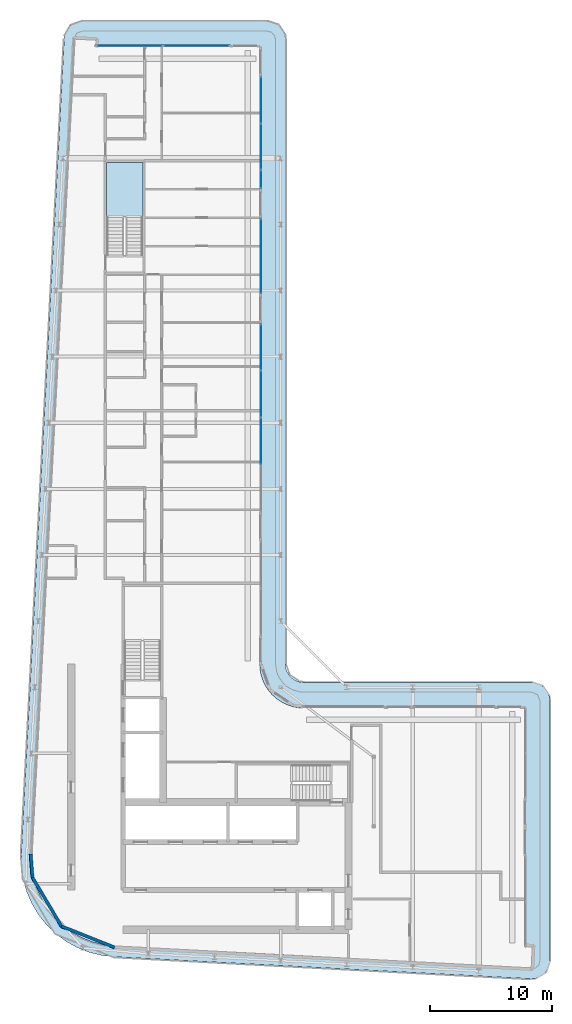
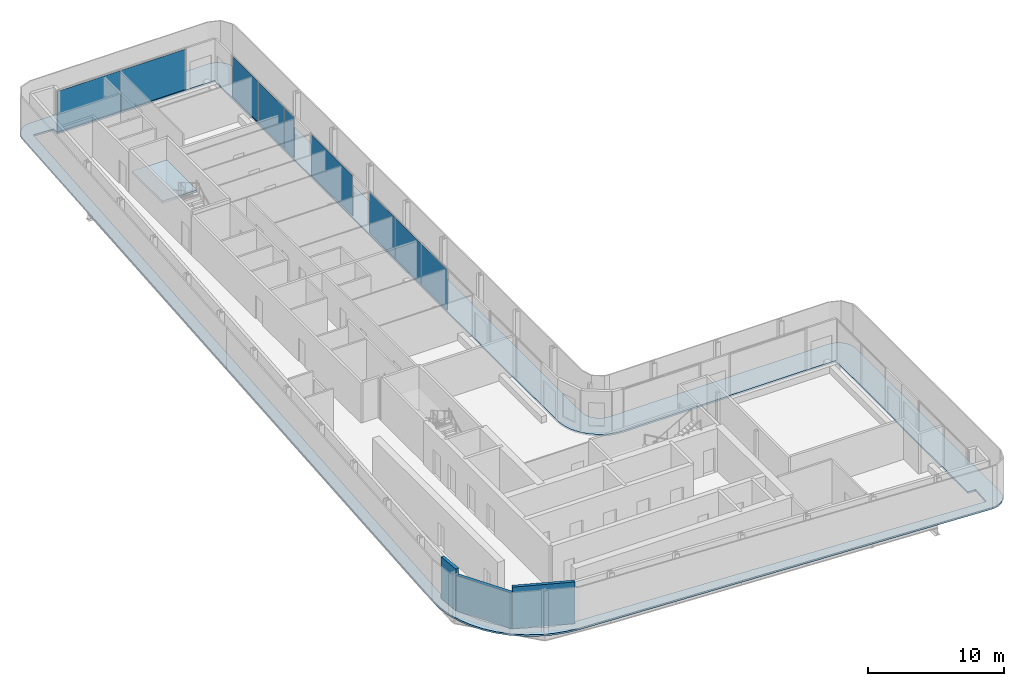
# One storey, part 10 of 20: 9 plates, 3 walls, 2 slabs, 7 elements without a shape of their own.
"""IFC4 building model written with IfcOpenShell, lengths in metres."""

from ifc_helpers import new_model, si_unit, direction, frame, frame_2d, origin, origin_2d, place, context, subcontext, project, spatial, polyline, rectangle, outline, extrude, material, layer, layer_set, type_object, element, aggregate, save


model = new_model("IFC4")

# Units and contexts
model_context = context("Model", 3, precision=1e-05, world=origin(), true_north=direction((0.0, 1.0)))
body_context = subcontext(model_context, "Body", "Model", "MODEL_VIEW")
ifc_project = project(units=[si_unit("LENGTHUNIT", "METRE"), si_unit("AREAUNIT", "SQUARE_METRE"), si_unit("VOLUMEUNIT", "CUBIC_METRE"), si_unit("PLANEANGLEUNIT", "RADIAN"), si_unit("MASSUNIT", "GRAM", prefix="KILO")], contexts=[model_context])

# Site, building, storey
site_placement = place(None, origin())
site = spatial("IfcSite", under=ifc_project, at=site_placement, CompositionType="ELEMENT")
building_placement = place(site_placement, origin())
building = spatial("IfcBuilding", under=site, at=building_placement, Name="Kheshtan School and Residences Tower", CompositionType="ELEMENT")
storey_placement = place(building_placement, frame((0.0, 0.0, 286.39990234375)))
storey = spatial("IfcBuildingStorey", under=building, at=storey_placement, Name="L67", CompositionType="ELEMENT", Elevation=286.39990234375)

# Curtain wall, plates
ifc_material_1 = material(Name="Clear low-e glass in thermally broken aluminium frame", Category="aluminium")
ifc_layer_1 = layer(ifc_material_1, 0.199951171875)
ifc_layer_set_1 = layer_set([ifc_layer_1], Name="Curtain wall CW-L")
curtain_wall_type = type_object("IfcCurtainWallType", Name="Curtain wall CW-L", PredefinedType="NOTDEFINED", material=ifc_layer_set_1)
curtain_wall_1_placement = place(storey_placement, origin())
curtain_wall_1 = element("IfcCurtainWall", 1, at=curtain_wall_1_placement, inside=storey, type_object=curtain_wall_type, Name="Curtain wall CWL7", PredefinedType="NOTDEFINED")
ifc_layer_2 = layer(ifc_material_1, 0.031982421875)
ifc_layer_set_2 = layer_set([ifc_layer_2], Name="CW-L glass panel")
plate_type = type_object("IfcPlateType", Name="CW-L glass panel", PredefinedType="CURTAIN_PANEL", material=ifc_layer_set_2)
plate_1_placement = place(storey_placement, frame((35.259033203125, 98.0, 0.000244140625), z_axis=(0.0, 0.0, 1.0), x_axis=(1.0, 0.0, 0.0)))
plate_1 = element("IfcPlate", 2, at=plate_1_placement, type_object=plate_type, Name="CWL7 panel 1.1", PredefinedType="CURTAIN_PANEL", context=body_context, shape_type="SweptSolid", body=[
    extrude(rectangle(XDim=5.4140625, YDim=0.031982421875, at=origin_2d()), origin(), (0.0, 0.0, 1.0), 3.6298828125),
])
plate_2_placement = place(storey_placement, frame((40.73291015625, 98.0, 0.000244140625), z_axis=(0.0, 0.0, 1.0), x_axis=(1.0, 0.0, 0.0)))
plate_2 = element("IfcPlate", 3, at=plate_2_placement, type_object=plate_type, Name="CWL7 panel 2.1", PredefinedType="CURTAIN_PANEL", context=body_context, shape_type="SweptSolid", body=[
    extrude(rectangle(XDim=5.4140625, YDim=0.031982421875, at=origin_2d()), origin(), (0.0, 0.0, 1.0), 3.6298828125),
])
aggregate(curtain_wall_1, [plate_1, plate_2])

curtain_wall_2_placement = place(storey_placement, origin())
curtain_wall_2 = element("IfcCurtainWall", 4, at=curtain_wall_2_placement, inside=storey, type_object=curtain_wall_type, Name="Curtain wall CWL8", PredefinedType="NOTDEFINED")
plate_3_placement = place(storey_placement, frame((46.0, 93.5615234375, 0.000244140625), z_axis=(0.0, 0.0, 1.0), x_axis=(0.0, -1.0, 0.0)))
plate_3 = element("IfcPlate", 5, at=plate_3_placement, type_object=plate_type, Name="CWL8 panel 1.1", PredefinedType="CURTAIN_PANEL", context=body_context, shape_type="SweptSolid", body=[
    extrude(rectangle(XDim=3.757080078125, YDim=0.031982421875, at=origin_2d()), origin(), (0.0, 0.0, 1.0), 3.6298828125),
])
plate_4_placement = place(storey_placement, frame((46.0, 89.744384765625, 0.000244140625), z_axis=(0.0, 0.0, 1.0), x_axis=(0.0, -1.0, 0.0)))
plate_4 = element("IfcPlate", 6, at=plate_4_placement, type_object=plate_type, Name="CWL8 panel 2.1", PredefinedType="CURTAIN_PANEL", context=body_context, shape_type="SweptSolid", body=[
    extrude(rectangle(XDim=3.757080078125, YDim=0.031982421875, at=origin_2d()), origin(), (0.0, 0.0, 1.0), 3.6298828125),
])
aggregate(curtain_wall_2, [plate_3, plate_4])

# Curtain wall, plate
curtain_wall_3_placement = place(storey_placement, origin())
curtain_wall_3 = element("IfcCurtainWall", 7, at=curtain_wall_3_placement, inside=storey, type_object=curtain_wall_type, Name="Curtain wall CWL8a", PredefinedType="NOTDEFINED")
plate_5_placement = place(storey_placement, frame((46.0, 87.0859375, 0.000244140625), z_axis=(0.0, 0.0, 1.0), x_axis=(0.0, -1.0, 0.0)))
plate_5 = element("IfcPlate", 8, at=plate_5_placement, type_object=plate_type, Name="CWL8a panel 1.1", PredefinedType="CURTAIN_PANEL", context=body_context, shape_type="SweptSolid", body=[
    extrude(rectangle(XDim=1.43994140625, YDim=0.031982421875, at=origin_2d()), origin(), (0.0, 0.0, 1.0), 3.6298828125),
])
aggregate(curtain_wall_3, [plate_5])

curtain_wall_4_placement = place(storey_placement, origin())
curtain_wall_4 = element("IfcCurtainWall", 9, at=curtain_wall_4_placement, inside=storey, type_object=curtain_wall_type, Name="Curtain wall CWL8d", PredefinedType="NOTDEFINED")
plate_6_placement = place(storey_placement, frame((46.0, 80.80908203125, 0.000244140625), z_axis=(0.0, 0.0, 1.0), x_axis=(0.0, -1.0, 0.0)))
plate_6 = element("IfcPlate", 10, at=plate_6_placement, type_object=plate_type, Name="CWL8d panel 1.1", PredefinedType="CURTAIN_PANEL", context=body_context, shape_type="SweptSolid", body=[
    extrude(rectangle(XDim=6.073974609375, YDim=0.031982421875, at=origin_2d()), origin(), (0.0, 0.0, 1.0), 3.6298828125),
])
aggregate(curtain_wall_4, [plate_6])

# Curtain wall, plates
curtain_wall_5_placement = place(storey_placement, origin())
curtain_wall_5 = element("IfcCurtainWall", 11, at=curtain_wall_5_placement, inside=storey, type_object=curtain_wall_type, Name="Curtain wall CWL8", PredefinedType="NOTDEFINED")
plate_7_placement = place(storey_placement, frame((46.0, 73.37353515625, 0.000244140625), z_axis=(0.0, 0.0, 1.0), x_axis=(0.0, -1.0, 0.0)))
plate_7 = element("IfcPlate", 12, at=plate_7_placement, type_object=plate_type, Name="CWL8 panel 1.1", PredefinedType="CURTAIN_PANEL", context=body_context, shape_type="SweptSolid", body=[
    extrude(rectangle(XDim=3.757080078125, YDim=0.031982421875, at=origin_2d()), origin(), (0.0, 0.0, 1.0), 3.6298828125),
])
plate_8_placement = place(storey_placement, frame((46.0, 69.556396484375, 0.000244140625), z_axis=(0.0, 0.0, 1.0), x_axis=(0.0, -1.0, 0.0)))
plate_8 = element("IfcPlate", 13, at=plate_8_placement, type_object=plate_type, Name="CWL8 panel 2.1", PredefinedType="CURTAIN_PANEL", context=body_context, shape_type="SweptSolid", body=[
    extrude(rectangle(XDim=3.757080078125, YDim=0.031982421875, at=origin_2d()), origin(), (0.0, 0.0, 1.0), 3.6298828125),
])
aggregate(curtain_wall_5, [plate_7, plate_8])

# Curtain wall, plate
curtain_wall_6_placement = place(storey_placement, origin())
curtain_wall_6 = element("IfcCurtainWall", 14, at=curtain_wall_6_placement, inside=storey, type_object=curtain_wall_type, Name="Curtain wall CWL8", PredefinedType="NOTDEFINED")
plate_9_placement = place(storey_placement, frame((46.0, 65.70947265625, 0.000244140625), z_axis=(0.0, 0.0, 1.0), x_axis=(0.0, -1.0, 0.0)))
plate_9 = element("IfcPlate", 15, at=plate_9_placement, type_object=plate_type, Name="CWL8 panel 1.1", PredefinedType="CURTAIN_PANEL", context=body_context, shape_type="SweptSolid", body=[
    extrude(rectangle(XDim=3.81689453125, YDim=0.031982421875, at=origin_2d()), origin(), (0.0, 0.0, 1.0), 3.6298828125),
])
aggregate(curtain_wall_6, [plate_9])

# Slab
ifc_material_2 = material(Name="Concrete C40/50", Category="concrete")
ifc_layer_3 = layer(ifc_material_2, 0.14990234375)
ifc_layer_set_3 = layer_set([ifc_layer_3], Name="Loggia balcony slab 150 Concrete C40/50")
slab_type_1 = type_object("IfcSlabType", Name="Loggia balcony slab 150 Concrete C40/50", PredefinedType="FLOOR", material=ifc_layer_set_3)
slab_1_placement = place(storey_placement, frame((0.0, 0.0, -0.14990234375)))
element("IfcSlab", 16, at=slab_1_placement, inside=storey, type_object=slab_type_1, Name="Loggia balcony slab L67", PredefinedType="FLOOR", context=body_context, shape_type="SweptSolid", body=[
    extrude(outline(polyline([(28.4580078125, 26.222900390625), (28.45703125, 26.222900390625), (28.45703125, 26.22412109375), (28.4560546875, 26.22412109375), (27.81494140625, 27.0390625), (27.281005859375, 27.93798828125), (26.867919921875, 28.89990234375), (26.583984375, 29.89990234375), (26.583984375, 29.906982421875), (26.43408203125, 30.943115234375), (26.419921875, 31.989013671875), (29.925048828125, 98.5791015625), (29.930908203125, 98.626953125), (29.930908203125, 98.6279296875), (29.929931640625, 98.6279296875), (29.929931640625, 98.62890625), (29.928955078125, 98.62890625), (29.928955078125, 98.6298828125), (29.927978515625, 98.6298828125), (29.927978515625, 98.631103515625), (29.927001953125, 98.631103515625), (29.927001953125, 98.632080078125), (29.927001953125, 98.633056640625), (29.945068359375, 98.781005859375), (29.945068359375, 98.783935546875), (29.945068359375, 98.784912109375), (29.946044921875, 98.784912109375), (29.946044921875, 98.785888671875), (29.947021484375, 98.785888671875), (29.947021484375, 98.787109375), (29.947998046875, 98.787109375), (29.948974609375, 98.787109375), (29.948974609375, 98.7880859375), (29.949951171875, 98.7880859375), (29.949951171875, 98.7890625), (29.949951171875, 98.791015625), (30.0029296875, 98.98388671875), (30.083984375, 99.175048828125), (30.18896484375, 99.35302734375), (30.31103515625, 99.507080078125), (30.31201171875, 99.507080078125), (30.31201171875, 99.508056640625), (30.31298828125, 99.508056640625), (30.31298828125, 99.509033203125), (30.31396484375, 99.509033203125), (30.31396484375, 99.510009765625), (30.31494140625, 99.510009765625), (30.31494140625, 99.510986328125), (30.31591796875, 99.510986328125), (30.31591796875, 99.511962890625), (30.31689453125, 99.511962890625), (30.31689453125, 99.512939453125), (30.318115234375, 99.512939453125), (30.320068359375, 99.512939453125), (30.321044921875, 99.512939453125), (30.321044921875, 99.513916015625), (30.468017578125, 99.656982421875), (30.468994140625, 99.656982421875), (30.468994140625, 99.657958984375), (30.469970703125, 99.657958984375), (30.469970703125, 99.658935546875), (30.470947265625, 99.658935546875), (30.470947265625, 99.659912109375), (30.471923828125, 99.659912109375), (30.471923828125, 99.660888671875), (30.472900390625, 99.660888671875), (30.472900390625, 99.662109375), (30.47412109375, 99.662109375), (30.47412109375, 99.6630859375), (30.47509765625, 99.6630859375), (30.47509765625, 99.6640625), (30.635986328125, 99.777099609375), (30.820068359375, 99.873046875), (31.007080078125, 99.943115234375), (31.013916015625, 99.943115234375), (31.217041015625, 99.986083984375), (31.423095703125, 100.0), (46.5, 100.0), (46.696044921875, 99.987060546875), (46.887939453125, 99.948974609375), (46.89501953125, 99.948974609375), (47.073974609375, 99.885986328125), (47.242919921875, 99.801025390625), (47.243896484375, 99.801025390625), (47.2470703125, 99.801025390625), (47.248046875, 99.801025390625), (47.248046875, 99.802001953125), (47.2490234375, 99.802001953125), (47.2490234375, 99.802978515625), (47.25, 99.802978515625), (47.2529296875, 99.802978515625), (47.25390625, 99.802978515625), (47.25390625, 99.802001953125), (47.2548828125, 99.802001953125), (47.2548828125, 99.801025390625), (47.256103515625, 99.801025390625), (47.256103515625, 99.800048828125), (47.257080078125, 99.800048828125), (47.257080078125, 99.799072265625), (47.258056640625, 99.799072265625), (47.258056640625, 99.798095703125), (47.412109375, 99.696044921875), (47.4130859375, 99.696044921875), (47.4130859375, 99.695068359375), (47.4140625, 99.695068359375), (47.4140625, 99.694091796875), (47.4140625, 99.68994140625), (47.4140625, 99.68896484375), (47.4150390625, 99.68896484375), (47.4150390625, 99.68798828125), (47.416015625, 99.68798828125), (47.416015625, 99.68701171875), (47.4169921875, 99.68701171875), (47.4169921875, 99.68603515625), (47.554931640625, 99.568115234375), (47.554931640625, 99.56689453125), (47.555908203125, 99.56689453125), (47.555908203125, 99.56591796875), (47.556884765625, 99.56591796875), (47.556884765625, 99.56494140625), (47.55810546875, 99.56494140625), (47.55810546875, 99.56396484375), (47.55908203125, 99.56396484375), (47.55908203125, 99.56298828125), (47.56005859375, 99.56298828125), (47.56005859375, 99.56201171875), (47.56103515625, 99.56201171875), (47.56201171875, 99.56103515625), (47.56201171875, 99.56005859375), (47.56298828125, 99.56005859375), (47.56298828125, 99.55908203125), (47.56396484375, 99.55908203125), (47.56396484375, 99.55810546875), (47.56494140625, 99.55810546875), (47.56494140625, 99.556884765625), (47.56591796875, 99.556884765625), (47.56591796875, 99.555908203125), (47.56689453125, 99.555908203125), (47.56689453125, 99.554931640625), (47.568115234375, 99.554931640625), (47.68505859375, 99.41796875), (47.68603515625, 99.41796875), (47.68603515625, 99.4169921875), (47.68701171875, 99.4169921875), (47.68701171875, 99.416015625), (47.68798828125, 99.416015625), (47.68798828125, 99.4150390625), (47.68896484375, 99.4150390625), (47.68896484375, 99.4140625), (47.68994140625, 99.4140625), (47.694091796875, 99.4140625), (47.695068359375, 99.4140625), (47.695068359375, 99.4130859375), (47.696044921875, 99.4130859375), (47.696044921875, 99.412109375), (47.797119140625, 99.259033203125), (47.798095703125, 99.259033203125), (47.798095703125, 99.258056640625), (47.799072265625, 99.258056640625), (47.799072265625, 99.257080078125), (47.800048828125, 99.257080078125), (47.800048828125, 99.256103515625), (47.801025390625, 99.256103515625), (47.801025390625, 99.2548828125), (47.802001953125, 99.2548828125), (47.802001953125, 99.25390625), (47.802978515625, 99.25390625), (47.802978515625, 99.2529296875), (47.802978515625, 99.25), (47.802978515625, 99.2490234375), (47.802001953125, 99.2490234375), (47.802001953125, 99.248046875), (47.801025390625, 99.248046875), (47.801025390625, 99.2470703125), (47.801025390625, 99.243896484375), (47.801025390625, 99.242919921875), (47.885986328125, 99.073974609375), (47.948974609375, 98.89501953125), (47.948974609375, 98.887939453125), (47.987060546875, 98.696044921875), (48.0, 98.5), (48.0, 47.5), (48.012939453125, 47.303955078125), (48.051025390625, 47.113037109375), (48.051025390625, 47.10693359375), (48.051025390625, 47.10595703125), (48.114013671875, 46.926025390625), (48.200927734375, 46.75), (48.31005859375, 46.5869140625), (48.431884765625, 46.444091796875), (48.43310546875, 46.444091796875), (48.43310546875, 46.443115234375), (48.43408203125, 46.443115234375), (48.43408203125, 46.44189453125), (48.43505859375, 46.44189453125), (48.43505859375, 46.44091796875), (48.43603515625, 46.44091796875), (48.43603515625, 46.43994140625), (48.43701171875, 46.43994140625), (48.43701171875, 46.43896484375), (48.43798828125, 46.43896484375), (48.43896484375, 46.43798828125), (48.43896484375, 46.43701171875), (48.43994140625, 46.43701171875), (48.43994140625, 46.43603515625), (48.44091796875, 46.43603515625), (48.44091796875, 46.43505859375), (48.44189453125, 46.43505859375), (48.44189453125, 46.43408203125), (48.443115234375, 46.43408203125), (48.443115234375, 46.43310546875), (48.444091796875, 46.43310546875), (48.444091796875, 46.431884765625), (48.5869140625, 46.31005859375), (48.75, 46.200927734375), (48.926025390625, 46.114013671875), (49.10595703125, 46.051025390625), (49.10693359375, 46.051025390625), (49.113037109375, 46.051025390625), (49.303955078125, 46.012939453125), (49.5, 46.0), (68.10009765625, 46.0), (68.2958984375, 45.987060546875), (68.488037109375, 45.948974609375), (68.4951171875, 45.948974609375), (68.674072265625, 45.885986328125), (68.842041015625, 45.801025390625), (68.843017578125, 45.801025390625), (68.846923828125, 45.801025390625), (68.847900390625, 45.801025390625), (68.847900390625, 45.802001953125), (68.84912109375, 45.802001953125), (68.84912109375, 45.802978515625), (68.85009765625, 45.802978515625), (68.85302734375, 45.802978515625), (68.85400390625, 45.802978515625), (68.85400390625, 45.802001953125), (68.85498046875, 45.802001953125), (68.85498046875, 45.801025390625), (68.85595703125, 45.801025390625), (68.85595703125, 45.800048828125), (68.85693359375, 45.800048828125), (68.85693359375, 45.799072265625), (68.85791015625, 45.799072265625), (68.85791015625, 45.798095703125), (68.85888671875, 45.798095703125), (68.85888671875, 45.797119140625), (68.860107421875, 45.797119140625), (68.860107421875, 45.7958984375), (69.011962890625, 45.696044921875), (69.012939453125, 45.696044921875), (69.012939453125, 45.695068359375), (69.013916015625, 45.695068359375), (69.013916015625, 45.694091796875), (69.013916015625, 45.68994140625), (69.013916015625, 45.68896484375), (69.014892578125, 45.68896484375), (69.014892578125, 45.68798828125), (69.01611328125, 45.68798828125), (69.01611328125, 45.68701171875), (69.01708984375, 45.68701171875), (69.01708984375, 45.68603515625), (69.01806640625, 45.68603515625), (69.01806640625, 45.68505859375), (69.01904296875, 45.68505859375), (69.01904296875, 45.68408203125), (69.155029296875, 45.568115234375), (69.155029296875, 45.56689453125), (69.156005859375, 45.56689453125), (69.156005859375, 45.56591796875), (69.156982421875, 45.56591796875), (69.156982421875, 45.56494140625), (69.157958984375, 45.56494140625), (69.157958984375, 45.56396484375), (69.158935546875, 45.56396484375), (69.158935546875, 45.56298828125), (69.159912109375, 45.56298828125), (69.159912109375, 45.56201171875), (69.160888671875, 45.56201171875), (69.162109375, 45.56103515625), (69.162109375, 45.56005859375), (69.1630859375, 45.56005859375), (69.1630859375, 45.55908203125), (69.1640625, 45.55908203125), (69.1640625, 45.55810546875), (69.1650390625, 45.55810546875), (69.1650390625, 45.556884765625), (69.166015625, 45.556884765625), (69.166015625, 45.555908203125), (69.1669921875, 45.555908203125), (69.1669921875, 45.554931640625), (69.16796875, 45.554931640625), (69.281982421875, 45.4208984375), (69.282958984375, 45.4208984375), (69.282958984375, 45.419921875), (69.283935546875, 45.419921875), (69.283935546875, 45.4189453125), (69.284912109375, 45.4189453125), (69.284912109375, 45.41796875), (69.285888671875, 45.41796875), (69.285888671875, 45.4169921875), (69.287109375, 45.4169921875), (69.287109375, 45.416015625), (69.2880859375, 45.416015625), (69.2880859375, 45.4150390625), (69.2890625, 45.4150390625), (69.2890625, 45.4140625), (69.2900390625, 45.4140625), (69.2939453125, 45.4140625), (69.294921875, 45.4140625), (69.294921875, 45.4130859375), (69.2958984375, 45.4130859375), (69.2958984375, 45.412109375), (69.39404296875, 45.261962890625), (69.39501953125, 45.261962890625), (69.39501953125, 45.260986328125), (69.39599609375, 45.260986328125), (69.39599609375, 45.260009765625), (69.39697265625, 45.260009765625), (69.39697265625, 45.259033203125), (69.39794921875, 45.259033203125), (69.39794921875, 45.258056640625), (69.39892578125, 45.258056640625), (69.39892578125, 45.257080078125), (69.39990234375, 45.257080078125), (69.39990234375, 45.256103515625), (69.40087890625, 45.256103515625), (69.40087890625, 45.2548828125), (69.402099609375, 45.2548828125), (69.402099609375, 45.25390625), (69.403076171875, 45.25390625), (69.403076171875, 45.2529296875), (69.403076171875, 45.25), (69.403076171875, 45.2490234375), (69.402099609375, 45.2490234375), (69.402099609375, 45.248046875), (69.40087890625, 45.248046875), (69.40087890625, 45.2470703125), (69.40087890625, 45.240966796875), (69.40087890625, 45.239990234375), (69.486083984375, 45.073974609375), (69.549072265625, 44.89501953125), (69.549072265625, 44.887939453125), (69.5869140625, 44.696044921875), (69.60009765625, 44.5), (69.60009765625, 23.285888671875), (69.5859375, 23.083984375), (69.544921875, 22.885009765625), (69.544921875, 22.8779296875), (69.47802734375, 22.694091796875), (69.385986328125, 22.513916015625), (69.27099609375, 22.347900390625), (69.27099609375, 22.346923828125), (69.27099609375, 22.345947265625), (69.27099609375, 22.344970703125), (69.27197265625, 22.344970703125), (69.27197265625, 22.343994140625), (69.27197265625, 22.342041015625), (69.27197265625, 22.341064453125), (69.27099609375, 22.341064453125), (69.27099609375, 22.340087890625), (69.137939453125, 22.197021484375), (69.135009765625, 22.194091796875), (69.134033203125, 22.194091796875), (69.134033203125, 22.193115234375), (69.133056640625, 22.193115234375), (69.131103515625, 22.193115234375), (69.1298828125, 22.193115234375), (69.1298828125, 22.194091796875), (69.12890625, 22.194091796875), (69.1279296875, 22.194091796875), (69.126953125, 22.194091796875), (68.97607421875, 22.069091796875), (68.803955078125, 21.9619140625), (68.618896484375, 21.87890625), (68.430908203125, 21.822021484375), (68.424072265625, 21.822021484375), (68.22412109375, 21.791015625), (68.02099609375, 21.7880859375), (33.989013671875, 23.580078125), (33.94189453125, 23.5859375), (33.94091796875, 23.5859375), (33.93994140625, 23.5859375), (33.93994140625, 23.5849609375), (33.93896484375, 23.5849609375), (33.93896484375, 23.583984375), (33.93798828125, 23.583984375), (33.93798828125, 23.5830078125), (33.93701171875, 23.5830078125), (33.93701171875, 23.58203125), (33.93603515625, 23.58203125), (33.93505859375, 23.58203125), (32.952880859375, 23.697998046875), (32.949951171875, 23.697998046875), (32.948974609375, 23.697998046875), (32.948974609375, 23.698974609375), (32.947998046875, 23.698974609375), (32.947998046875, 23.699951171875), (32.947021484375, 23.699951171875), (32.947021484375, 23.700927734375), (32.947021484375, 23.702880859375), (32.947021484375, 23.7041015625), (32.946044921875, 23.7041015625), (32.946044921875, 23.705078125), (32.945068359375, 23.705078125), (32.944091796875, 23.705078125), (31.93603515625, 23.9609375), (31.928955078125, 23.9609375), (30.964111328125, 24.34912109375), (30.051025390625, 24.860107421875), (29.218994140625, 25.47900390625), (29.218994140625, 25.47998046875), (29.218017578125, 25.47998046875), (29.218017578125, 25.48095703125), (29.217041015625, 25.48095703125), (29.217041015625, 25.48193359375), (29.216064453125, 25.48193359375), (29.216064453125, 25.48291015625), (29.215087890625, 25.48291015625), (29.215087890625, 25.48388671875), (29.214111328125, 25.48388671875), (29.214111328125, 25.485107421875), (29.212890625, 25.485107421875), (29.212890625, 25.486083984375), (29.2119140625, 25.486083984375), (28.466064453125, 26.217041015625), (28.466064453125, 26.218017578125), (28.465087890625, 26.218017578125), (28.462890625, 26.218017578125), (28.4619140625, 26.218017578125), (28.4619140625, 26.218994140625), (28.4609375, 26.218994140625), (28.4609375, 26.219970703125), (28.4599609375, 26.219970703125), (28.4599609375, 26.220947265625), (28.458984375, 26.220947265625), (28.458984375, 26.221923828125), (28.4580078125, 26.221923828125), (28.4580078125, 26.222900390625)]), holes=[polyline([(29.12890625, 26.824951171875), (29.12890625, 26.823974609375), (29.1298828125, 26.823974609375), (29.1298828125, 26.822998046875), (29.131103515625, 26.822998046875), (29.131103515625, 26.822021484375), (29.132080078125, 26.822021484375), (29.132080078125, 26.821044921875), (29.133056640625, 26.821044921875), (29.133056640625, 26.820068359375), (29.134033203125, 26.820068359375), (29.794921875, 26.173095703125), (29.794921875, 26.172119140625), (29.7958984375, 26.172119140625), (29.798095703125, 26.172119140625), (29.799072265625, 26.172119140625), (29.799072265625, 26.1708984375), (29.800048828125, 26.1708984375), (29.800048828125, 26.169921875), (29.801025390625, 26.169921875), (29.801025390625, 26.1689453125), (29.802001953125, 26.1689453125), (29.802001953125, 26.16796875), (29.802978515625, 26.16796875), (29.802978515625, 26.1669921875), (29.803955078125, 26.1669921875), (29.803955078125, 26.166015625), (30.541015625, 25.616943359375), (31.35205078125, 25.1630859375), (32.208984375, 24.819091796875), (32.2099609375, 24.819091796875), (32.216064453125, 24.819091796875), (33.114990234375, 24.590087890625), (34.06591796875, 24.47705078125), (68.0380859375, 22.68798828125), (68.06494140625, 22.68896484375), (68.06591796875, 22.68896484375), (68.06689453125, 22.68896484375), (68.06689453125, 22.68994140625), (68.068115234375, 22.68994140625), (68.068115234375, 22.69091796875), (68.068115234375, 22.69189453125), (68.157958984375, 24.381103515625), (68.157958984375, 24.382080078125), (68.157958984375, 24.383056640625), (68.156982421875, 24.383056640625), (68.156982421875, 24.384033203125), (68.156005859375, 24.384033203125), (68.155029296875, 24.384033203125), (67.5009765625, 24.4189453125), (67.5, 24.4189453125), (67.5, 24.419921875), (67.5, 43.89794921875), (67.5, 43.89892578125), (67.4990234375, 43.89892578125), (67.4990234375, 43.89990234375), (67.498046875, 43.89990234375), (49.429931640625, 43.89990234375), (49.030029296875, 43.927001953125), (48.569091796875, 44.01806640625), (48.56201171875, 44.01806640625), (48.1201171875, 44.169921875), (47.697021484375, 44.37890625), (47.30810546875, 44.638916015625), (46.95703125, 44.944091796875), (46.95703125, 44.945068359375), (46.9560546875, 44.945068359375), (46.9560546875, 44.946044921875), (46.955078125, 44.946044921875), (46.955078125, 44.947021484375), (46.9541015625, 44.947021484375), (46.9541015625, 44.947998046875), (46.952880859375, 44.947998046875), (46.952880859375, 44.948974609375), (46.951904296875, 44.948974609375), (46.951904296875, 44.949951171875), (46.951904296875, 44.950927734375), (46.950927734375, 44.950927734375), (46.950927734375, 44.951904296875), (46.949951171875, 44.951904296875), (46.948974609375, 44.951904296875), (46.948974609375, 44.952880859375), (46.947998046875, 44.952880859375), (46.947998046875, 44.9541015625), (46.947021484375, 44.9541015625), (46.947021484375, 44.955078125), (46.946044921875, 44.955078125), (46.946044921875, 44.9560546875), (46.945068359375, 44.9560546875), (46.945068359375, 44.95703125), (46.944091796875, 44.95703125), (46.638916015625, 45.30810546875), (46.37890625, 45.697021484375), (46.169921875, 46.1201171875), (46.01806640625, 46.56201171875), (46.01806640625, 46.569091796875), (45.927001953125, 47.030029296875), (45.89990234375, 47.429931640625), (45.89990234375, 97.89794921875), (45.89990234375, 97.89892578125), (45.89892578125, 97.89892578125), (45.89892578125, 97.89990234375), (45.89794921875, 97.89990234375), (32.492919921875, 97.89990234375), (32.491943359375, 97.89990234375), (32.52099609375, 98.43896484375), (32.52099609375, 98.43994140625), (32.52099609375, 98.44091796875), (32.52001953125, 98.44091796875), (32.52001953125, 98.44189453125), (32.51904296875, 98.44189453125), (32.51806640625, 98.44189453125), (30.8291015625, 98.531982421875), (30.827880859375, 98.531982421875), (30.826904296875, 98.531982421875), (30.826904296875, 98.531005859375), (30.825927734375, 98.531005859375), (30.825927734375, 98.530029296875), (30.825927734375, 98.529052734375), (30.822021484375, 98.5009765625), (27.320068359375, 31.970947265625), (27.3330078125, 31.013916015625), (27.466064453125, 30.093994140625), (27.466064453125, 30.087890625), (27.466064453125, 30.0869140625), (27.718017578125, 29.200927734375), (28.0849609375, 28.345947265625), (28.55908203125, 27.550048828125), (29.126953125, 26.825927734375), (29.1279296875, 26.825927734375), (29.1279296875, 26.824951171875), (29.12890625, 26.824951171875)])]), origin(), (0.0, 0.0, 1.0), 0.14990234375),
])

# Stair, slab
stair_type = type_object("IfcStairType", Name="Exit stair, half-turn", PredefinedType="HALF_TURN_STAIR", material=ifc_material_2)
stair_placement = place(storey_placement, origin())
stair = element("IfcStair", 17, at=stair_placement, inside=storey, type_object=stair_type, Name="L67 Protected Exit Stair ST3", PredefinedType="HALF_TURN_STAIR")
ifc_layer_4 = layer(ifc_material_2, 0.199951171875)
ifc_layer_set_4 = layer_set([ifc_layer_4], Name="Stair landing 200 Concrete C40/50")
slab_type_2 = type_object("IfcSlabType", Name="Stair landing 200 Concrete C40/50", PredefinedType="LANDING", material=ifc_layer_set_4)
slab_2_placement = place(storey_placement, frame((0.0, 0.0, 1.75)))
slab_2 = element("IfcSlab", 18, at=slab_2_placement, type_object=slab_type_2, Name="ST3 landing 1", PredefinedType="LANDING", context=body_context, shape_type="SweptSolid", body=[
    extrude(outline(polyline([(36.35009765625, 83.97998046875), (36.35009765625, 88.4599609375), (33.39990234375, 88.4599609375), (33.39990234375, 83.97998046875), (36.35009765625, 83.97998046875)])), origin(), (0.0, 0.0, 1.0), 0.2001953125),
])
aggregate(stair, [slab_2])

# Walls
ifc_material_3 = material(Name="Concrete C40/50 with ceramic cladding and mineral wool insulation", Category="concrete")
ifc_layer_5 = layer(ifc_material_3, 0.25)
ifc_layer_set_5 = layer_set([ifc_layer_5], Name="External wall 250 ceramic clad")
wall_type = type_object("IfcWallType", Name="External wall 250 ceramic clad", PredefinedType="SOLIDWALL", material=ifc_layer_set_5)
wall_1_placement = place(storey_placement, frame((34.0390625, 24.35302734375, 0.0), z_axis=(0.0, 0.0, 1.0), x_axis=(-0.929352825399, 0.369192803184, 0.0)))
element("IfcWall", 19, at=wall_1_placement, inside=storey, type_object=wall_type, Name="External wall L67 1", PredefinedType="SOLIDWALL", context=body_context, shape_type="SweptSolid", body=[
    extrude(rectangle(XDim=4.656005859375, YDim=0.25, at=frame_2d((2.328125, 0.0))), origin(), (0.0, 0.0, 1.0), 3.75),
])
wall_2_placement = place(storey_placement, frame((29.7119140625, 26.072021484375, 0.0), z_axis=(0.0, 0.0, 1.0), x_axis=(-0.511028049012, 0.859564036662, 0.0)))
element("IfcWall", 20, at=wall_2_placement, inside=storey, type_object=wall_type, Name="External wall L67 2", PredefinedType="SOLIDWALL", context=body_context, shape_type="SweptSolid", body=[
    extrude(rectangle(XDim=4.633544921875, YDim=0.25, at=frame_2d((2.31689453125, 0.0))), origin(), (0.0, 0.0, 1.0), 3.217041015625),
])
wall_3_placement = place(storey_placement, frame((27.343994140625, 30.054931640625, 0.0), z_axis=(0.0, 0.0, 1.0), x_axis=(-0.077571675317, 0.99698677784, 0.0)))
element("IfcWall", 21, at=wall_3_placement, inside=storey, type_object=wall_type, Name="External wall L67 3", PredefinedType="SOLIDWALL", context=body_context, shape_type="SweptSolid", body=[
    extrude(rectangle(XDim=1.919921875, YDim=0.25, at=frame_2d((0.9599609375, 0.0))), origin(), (0.0, 0.0, 1.0), 3.75),
])

save(model, "model.ifc")
